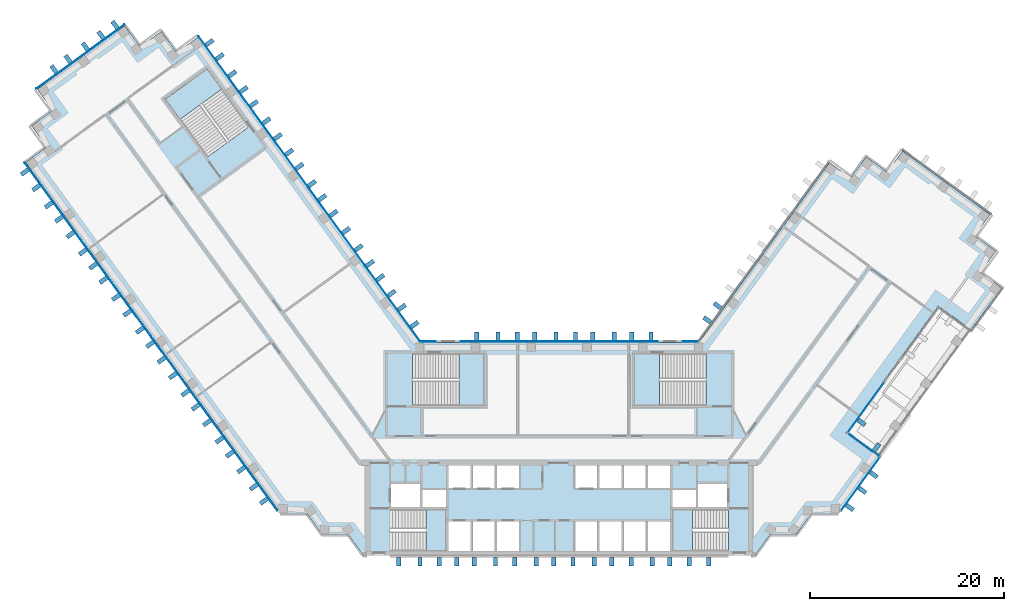
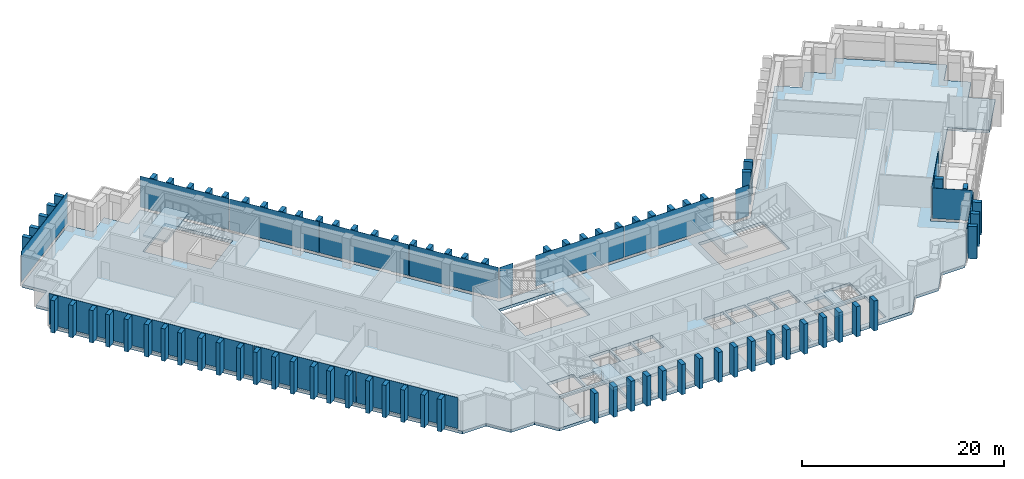
"""IFC4 building model written with IfcOpenShell, lengths in metres."""

from ifc_helpers import new_model, si_unit, direction, frame, origin, origin_2d, place, context, subcontext, project, spatial, polyline, rectangle, outline, extrude, material, layer, layer_set, type_object, element, aggregate, save


model = new_model("IFC4")

# Units and contexts
model_context = context("Model", 3, precision=1e-05, world=origin(), true_north=direction((0.0, 1.0)))
body_context = subcontext(model_context, "Body", "Model", "MODEL_VIEW")
ifc_project = project(units=[si_unit("LENGTHUNIT", "METRE"), si_unit("AREAUNIT", "SQUARE_METRE"), si_unit("VOLUMEUNIT", "CUBIC_METRE"), si_unit("PLANEANGLEUNIT", "RADIAN"), si_unit("MASSUNIT", "GRAM", prefix="KILO")], contexts=[model_context])

# Site, building, storey
site_placement = place(None, origin())
site = spatial("IfcSite", under=ifc_project, at=site_placement, CompositionType="ELEMENT")
building_placement = place(site_placement, origin())
building = spatial("IfcBuilding", under=site, at=building_placement, Name="Quipu Civic Tower", CompositionType="ELEMENT")
storey_1_placement = place(building_placement, frame((0.0, 0.0, 97.0)))
storey_1 = spatial("IfcBuildingStorey", under=building, at=storey_1_placement, Name="L22", CompositionType="ELEMENT", Elevation=97.0)

# Slab
ifc_material_1 = material(Name="Concrete C40/50", Category="concrete")
ifc_layer_1 = layer(ifc_material_1, 0.35009765625)
ifc_layer_set_1 = layer_set([ifc_layer_1], Name="Concrete C40/50")
slab_type_1 = type_object("IfcSlabType", Name="Floor slab 350 C40/50", PredefinedType="FLOOR", material=ifc_layer_set_1)
slab_1_placement = place(storey_1_placement, frame((0.0, 0.0, -0.35009765625)))
element("IfcSlab", 1, at=slab_1_placement, inside=storey_1, type_object=slab_type_1, Name="Floor slab L22", PredefinedType="FLOOR", context=body_context, shape_type="SweptSolid", body=[
    extrude(outline(polyline([(24.489990234375, -8.81494140625), (21.7900390625, -8.81494140625), (20.205078125, -11.0), (-20.205078125, -11.0), (-21.7900390625, -8.81494140625), (-24.489990234375, -8.81494140625), (-26.080078125, -6.6298828125), (-28.780029296875, -6.6298828125), (-55.114990234375, 29.614990234375), (-52.929931640625, 31.205078125), (-54.514892578125, 33.389892578125), (-52.3349609375, 34.97509765625), (-53.919921875, 37.159912109375), (-44.860107421875, 43.739990234375), (-43.27001953125, 41.56005859375), (-41.0849609375, 43.14501953125), (-39.5, 40.9599609375), (-37.31494140625, 42.550048828125), (-14.39501953125, 11.0), (14.39501953125, 11.0), (27.909912109375, 29.60498046875), (30.094970703125, 28.014892578125), (31.68505859375, 30.199951171875), (33.864990234375, 28.614990234375), (35.455078125, 30.800048828125), (44.514892578125, 24.215087890625), (42.929931640625, 22.030029296875), (45.114990234375, 20.445068359375), (43.52490234375, 18.260009765625), (45.7099609375, 16.669921875), (42.534912109375, 12.304931640625), (39.139892578125, 14.77001953125), (29.614990234375, 1.6650390625), (33.014892578125, -0.804931640625), (28.780029296875, -6.6298828125), (26.080078125, -6.6298828125), (24.489990234375, -8.81494140625)]), holes=[polyline([(-11.449951171875, -7.5), (-11.449951171875, -10.5), (-9.14990234375, -10.5), (-9.14990234375, -7.5), (-11.449951171875, -7.5)]), polyline([(-8.949951171875, -7.5), (-8.949951171875, -10.5), (-6.64990234375, -10.5), (-6.64990234375, -7.5), (-8.949951171875, -7.5)]), polyline([(-6.449951171875, -7.5), (-6.449951171875, -10.5), (-4.14990234375, -10.5), (-4.14990234375, -7.5), (-6.449951171875, -7.5)]), polyline([(-11.705078125, -10.4951171875), (-11.705078125, -6.2548828125), (-17.4951171875, -6.2548828125), (-17.4951171875, -10.4951171875), (-11.705078125, -10.4951171875)]), polyline([(-11.699951171875, -4.25), (-14.10009765625, -4.25), (-14.10009765625, -6.0), (-11.699951171875, -6.0), (-11.699951171875, -4.25)]), polyline([(-17.35009765625, -3.60009765625), (-17.35009765625, -6.0), (-14.35009765625, -6.0), (-14.35009765625, -3.60009765625), (-17.35009765625, -3.60009765625)]), polyline([(-9.14990234375, -1.699951171875), (-11.449951171875, -1.699951171875), (-11.449951171875, -4.0), (-9.14990234375, -4.0), (-9.14990234375, -1.699951171875)]), polyline([(-6.64990234375, -1.699951171875), (-8.949951171875, -1.699951171875), (-8.949951171875, -4.0), (-6.64990234375, -4.0), (-6.64990234375, -1.699951171875)]), polyline([(-6.449951171875, -1.699951171875), (-6.449951171875, -4.0), (-4.14990234375, -4.0), (-4.14990234375, -1.699951171875), (-6.449951171875, -1.699951171875)]), polyline([(3.949951171875, -1.699951171875), (1.64990234375, -1.699951171875), (1.64990234375, -4.0), (3.949951171875, -4.0), (3.949951171875, -1.699951171875)]), polyline([(-7.7548828125, 4.5048828125), (-7.7548828125, 9.844970703125), (-15.14501953125, 9.844970703125), (-15.14501953125, 4.5048828125), (-7.7548828125, 4.5048828125)]), polyline([(-40.68505859375, 36.135009765625), (-36.344970703125, 30.159912109375), (-32.02490234375, 33.300048828125), (-36.364990234375, 39.27490234375), (-40.68505859375, 36.135009765625)]), polyline([(3.949951171875, -7.5), (1.64990234375, -7.5), (1.64990234375, -10.5), (3.949951171875, -10.5), (3.949951171875, -7.5)]), polyline([(6.449951171875, -7.5), (4.14990234375, -7.5), (4.14990234375, -10.5), (6.449951171875, -10.5), (6.449951171875, -7.5)]), polyline([(6.64990234375, -7.5), (6.64990234375, -10.5), (8.949951171875, -10.5), (8.949951171875, -7.5), (6.64990234375, -7.5)]), polyline([(11.449951171875, -7.5), (9.14990234375, -7.5), (9.14990234375, -10.5), (11.449951171875, -10.5), (11.449951171875, -7.5)]), polyline([(11.705078125, -6.2548828125), (11.705078125, -10.4951171875), (17.4951171875, -10.4951171875), (17.4951171875, -6.2548828125), (11.705078125, -6.2548828125)]), polyline([(11.699951171875, -4.25), (11.699951171875, -6.0), (14.10009765625, -6.0), (14.10009765625, -4.25), (11.699951171875, -4.25)]), polyline([(17.35009765625, -3.60009765625), (14.35009765625, -3.60009765625), (14.35009765625, -6.0), (17.35009765625, -6.0), (17.35009765625, -3.60009765625)]), polyline([(6.449951171875, -1.699951171875), (4.14990234375, -1.699951171875), (4.14990234375, -4.0), (6.449951171875, -4.0), (6.449951171875, -1.699951171875)]), polyline([(6.64990234375, -1.699951171875), (6.64990234375, -4.0), (8.949951171875, -4.0), (8.949951171875, -1.699951171875), (6.64990234375, -1.699951171875)]), polyline([(11.449951171875, -1.699951171875), (9.14990234375, -1.699951171875), (9.14990234375, -4.0), (11.449951171875, -4.0), (11.449951171875, -1.699951171875)]), polyline([(7.7548828125, 9.844970703125), (7.7548828125, 4.5048828125), (15.14501953125, 4.5048828125), (15.14501953125, 9.844970703125), (7.7548828125, 9.844970703125)])]), origin(), (0.0, 0.0, 1.0), 0.35009765625),
])

# Curtain wall, plate
ifc_material_2 = material(Name="Insulated glass unit", Category="glass")
curtain_wall_type = type_object("IfcCurtainWallType", Name="Office curtain wall CW1", PredefinedType="NOTDEFINED", material=ifc_material_2)
curtain_wall_1_placement = place(storey_1_placement, origin())
curtain_wall_1 = element("IfcCurtainWall", 2, at=curtain_wall_1_placement, inside=storey_1, type_object=curtain_wall_type, Name="Office curtain wall CW1 L22 run 1", PredefinedType="NOTDEFINED")
ifc_material_3 = material(Name="Insulated glass unit", Category="glass")
ifc_layer_2 = layer(ifc_material_3, 0.028076171875)
ifc_layer_set_2 = layer_set([ifc_layer_2], Name="Insulated glass unit")
plate_type_1 = type_object("IfcPlateType", Name="Glass panel CW1", PredefinedType="CURTAIN_PANEL", material=ifc_layer_set_2)
plate_1_placement = place(storey_1_placement, frame((31.104736328125, -3.600341796875, 0.240234375), z_axis=(0.0, 0.0, 1.0), x_axis=(0.587786952143, 0.809015759359, 0.0)))
plate_1 = element("IfcPlate", 3, at=plate_1_placement, type_object=plate_type_1, Name="CW1 panel 1.1", PredefinedType="CURTAIN_PANEL", context=body_context, shape_type="SweptSolid", body=[
    extrude(rectangle(XDim=6.81103515625, YDim=0.028076171875, at=origin_2d()), origin(), (0.0, 0.0, 1.0), 3.679931640625),
])
aggregate(curtain_wall_1, [plate_1])

curtain_wall_2_placement = place(storey_1_placement, origin())
curtain_wall_2 = element("IfcCurtainWall", 4, at=curtain_wall_2_placement, inside=storey_1, type_object=curtain_wall_type, Name="Office curtain wall CW1 L22 run 2", PredefinedType="NOTDEFINED")
plate_2_placement = place(storey_1_placement, frame((31.454345703125, 0.453857421875, 0.240234375), z_axis=(0.0, 0.0, 1.0), x_axis=(-0.809019129244, 0.587782313886, 0.0)))
plate_2 = element("IfcPlate", 5, at=plate_2_placement, type_object=plate_type_1, Name="CW1 panel 1.1", PredefinedType="CURTAIN_PANEL", context=body_context, shape_type="SweptSolid", body=[
    extrude(rectangle(XDim=4.0400390625, YDim=0.028076171875, at=origin_2d()), origin(), (0.0, 0.0, 1.0), 3.679931640625),
])
aggregate(curtain_wall_2, [plate_2])

curtain_wall_3_placement = place(storey_1_placement, origin())
curtain_wall_3 = element("IfcCurtainWall", 6, at=curtain_wall_3_placement, inside=storey_1, type_object=curtain_wall_type, Name="Office curtain wall CW1 L22 run 3", PredefinedType="NOTDEFINED")
plate_3_placement = place(storey_1_placement, frame((31.671142578125, 4.324951171875, 0.240234375), z_axis=(0.0, 0.0, 1.0), x_axis=(0.587783041125, 0.809018600878, 0.0)))
plate_3 = element("IfcPlate", 7, at=plate_3_placement, type_object=plate_type_1, Name="CW1 panel 1.1", PredefinedType="CURTAIN_PANEL", context=body_context, shape_type="SweptSolid", body=[
    extrude(rectangle(XDim=6.3583984375, YDim=0.028076171875, at=origin_2d()), origin(), (0.0, 0.0, 1.0), 3.679931640625),
])
aggregate(curtain_wall_3, [plate_3])

# Storey
storey_2_placement = place(building_placement, frame((0.0, 0.0, 101.0)))
storey_2 = spatial("IfcBuildingStorey", under=building, at=storey_2_placement, Name="L23", CompositionType="ELEMENT", Elevation=101.0)

# Curtain wall, plates
curtain_wall_4_placement = place(storey_2_placement, origin())
curtain_wall_4 = element("IfcCurtainWall", 8, at=curtain_wall_4_placement, inside=storey_2, type_object=curtain_wall_type, Name="Office curtain wall CW1 L22 run 10", PredefinedType="NOTDEFINED")
plate_4_placement = place(storey_1_placement, frame((-17.224609375, 15.064697265625, 0.240234375), z_axis=(0.0, 0.0, 1.0), x_axis=(-0.587785887566, 0.809016532822, 0.0)))
plate_4 = element("IfcPlate", 9, at=plate_4_placement, inside=storey_1, type_object=plate_type_1, Name="CW1 panel 1.1", PredefinedType="CURTAIN_PANEL", context=body_context, shape_type="SweptSolid", body=[
    extrude(rectangle(XDim=9.64111328125, YDim=0.028076171875, at=origin_2d()), origin(), (0.0, 0.0, 1.0), 3.760009765625),
])
plate_5_placement = place(storey_1_placement, frame((-22.950439453125, 22.9453125, 0.240234375), z_axis=(0.0, 0.0, 1.0), x_axis=(-0.587785887566, 0.809016532822, 0.0)))
plate_5 = element("IfcPlate", 10, at=plate_5_placement, inside=storey_1, type_object=plate_type_1, Name="CW1 panel 2.1", PredefinedType="CURTAIN_PANEL", context=body_context, shape_type="SweptSolid", body=[
    extrude(rectangle(XDim=9.68115234375, YDim=0.028076171875, at=origin_2d()), origin(), (0.0, 0.0, 1.0), 3.760009765625),
])
plate_6_placement = place(storey_1_placement, frame((-28.687744140625, 30.84228515625, 0.240234375), z_axis=(0.0, 0.0, 1.0), x_axis=(-0.587785887566, 0.809016532822, 0.0)))
plate_6 = element("IfcPlate", 11, at=plate_6_placement, inside=storey_1, type_object=plate_type_1, Name="CW1 panel 3.1", PredefinedType="CURTAIN_PANEL", context=body_context, shape_type="SweptSolid", body=[
    extrude(rectangle(XDim=9.68115234375, YDim=0.028076171875, at=origin_2d()), origin(), (0.0, 0.0, 1.0), 3.760009765625),
])
plate_7_placement = place(storey_1_placement, frame((-34.413330078125, 38.722900390625, 0.240234375), z_axis=(0.0, 0.0, 1.0), x_axis=(-0.587785887566, 0.809016532822, 0.0)))
plate_7 = element("IfcPlate", 12, at=plate_7_placement, inside=storey_1, type_object=plate_type_1, Name="CW1 panel 4.1", PredefinedType="CURTAIN_PANEL", context=body_context, shape_type="SweptSolid", body=[
    extrude(rectangle(XDim=9.64111328125, YDim=0.028076171875, at=origin_2d()), origin(), (0.0, 0.0, 1.0), 3.760009765625),
])
aggregate(curtain_wall_4, [plate_4, plate_5, plate_6, plate_7])

# Curtain wall, plate
curtain_wall_5_placement = place(storey_2_placement, origin())
curtain_wall_5 = element("IfcCurtainWall", 13, at=curtain_wall_5_placement, inside=storey_2, type_object=curtain_wall_type, Name="Office curtain wall CW1 L22 run 15", PredefinedType="NOTDEFINED")
plate_8_placement = place(storey_1_placement, frame((-49.447998046875, 40.53173828125, 0.240234375), z_axis=(0.0, 0.0, 1.0), x_axis=(-0.809019348124, -0.587782012621, 0.0)))
plate_8 = element("IfcPlate", 14, at=plate_8_placement, inside=storey_1, type_object=plate_type_1, Name="CW1 panel 1.1", PredefinedType="CURTAIN_PANEL", context=body_context, shape_type="SweptSolid", body=[
    extrude(rectangle(XDim=11.239990234375, YDim=0.028076171875, at=origin_2d()), origin(), (0.0, 0.0, 1.0), 3.760009765625),
])
aggregate(curtain_wall_5, [plate_8])

# Curtain wall, plates
curtain_wall_6_placement = place(storey_2_placement, origin())
curtain_wall_6 = element("IfcCurtainWall", 15, at=curtain_wall_6_placement, inside=storey_2, type_object=curtain_wall_type, Name="Office curtain wall CW1 L22 run 20", PredefinedType="NOTDEFINED")
plate_9_placement = place(storey_1_placement, frame((-51.967529296875, 25.114990234375, 0.240234375), z_axis=(0.0, 0.0, 1.0), x_axis=(0.587785559869, -0.809016770908, 0.0)))
plate_9 = element("IfcPlate", 16, at=plate_9_placement, inside=storey_1, type_object=plate_type_1, Name="CW1 panel 1.1", PredefinedType="CURTAIN_PANEL", context=body_context, shape_type="SweptSolid", body=[
    extrude(rectangle(XDim=11.022705078125, YDim=0.028076171875, at=origin_2d()), origin(), (0.0, 0.0, 1.0), 3.760009765625),
])
plate_10_placement = place(storey_1_placement, frame((-45.4296875, 16.11669921875, 0.240234375), z_axis=(0.0, 0.0, 1.0), x_axis=(0.587785559869, -0.809016770908, 0.0)))
plate_10 = element("IfcPlate", 17, at=plate_10_placement, inside=storey_1, type_object=plate_type_1, Name="CW1 panel 2.1", PredefinedType="CURTAIN_PANEL", context=body_context, shape_type="SweptSolid", body=[
    extrude(rectangle(XDim=11.062744140625, YDim=0.028076171875, at=origin_2d()), origin(), (0.0, 0.0, 1.0), 3.760009765625),
])
plate_11_placement = place(storey_1_placement, frame((-38.880126953125, 7.101806640625, 0.240234375), z_axis=(0.0, 0.0, 1.0), x_axis=(0.587785559869, -0.809016770908, 0.0)))
plate_11 = element("IfcPlate", 18, at=plate_11_placement, inside=storey_1, type_object=plate_type_1, Name="CW1 panel 3.1", PredefinedType="CURTAIN_PANEL", context=body_context, shape_type="SweptSolid", body=[
    extrude(rectangle(XDim=11.062744140625, YDim=0.028076171875, at=origin_2d()), origin(), (0.0, 0.0, 1.0), 3.760009765625),
])
plate_12_placement = place(storey_1_placement, frame((-32.342529296875, -1.896484375, 0.240234375), z_axis=(0.0, 0.0, 1.0), x_axis=(0.587785559869, -0.809016770908, 0.0)))
plate_12 = element("IfcPlate", 19, at=plate_12_placement, inside=storey_1, type_object=plate_type_1, Name="CW1 panel 4.1", PredefinedType="CURTAIN_PANEL", context=body_context, shape_type="SweptSolid", body=[
    extrude(rectangle(XDim=11.022705078125, YDim=0.028076171875, at=origin_2d()), origin(), (0.0, 0.0, 1.0), 3.760009765625),
])
aggregate(curtain_wall_6, [plate_9, plate_10, plate_11, plate_12])

# Curtain wall, plate
curtain_wall_7_placement = place(storey_2_placement, origin())
curtain_wall_7 = element("IfcCurtainWall", 20, at=curtain_wall_7_placement, inside=storey_2, type_object=curtain_wall_type, Name="Office curtain wall CW1 L22 run 37", PredefinedType="NOTDEFINED")
plate_13_placement = place(storey_1_placement, frame((13.49951171875, 11.10009765625, 0.240234375), z_axis=(0.0, 0.0, 1.0), x_axis=(-1.0, 0.0, 0.0)))
plate_13 = element("IfcPlate", 21, at=plate_13_placement, inside=storey_1, type_object=plate_type_1, Name="CW1 panel 1.1", PredefinedType="CURTAIN_PANEL", context=body_context, shape_type="SweptSolid", body=[
    extrude(rectangle(XDim=1.529296875, YDim=0.028076171875, at=origin_2d()), origin(), (0.0, 0.0, 1.0), 3.760009765625),
])
aggregate(curtain_wall_7, [plate_13])

# Curtain wall, plates
curtain_wall_8_placement = place(storey_2_placement, origin())
curtain_wall_8 = element("IfcCurtainWall", 22, at=curtain_wall_8_placement, inside=storey_2, type_object=curtain_wall_type, Name="Office curtain wall CW1 L22 run 39", PredefinedType="NOTDEFINED")
plate_14_placement = place(storey_1_placement, frame((5.11181640625, 11.10009765625, 0.240234375), z_axis=(0.0, 0.0, 1.0), x_axis=(-1.0, 0.0, 0.0)))
plate_14 = element("IfcPlate", 23, at=plate_14_placement, inside=storey_1, type_object=plate_type_1, Name="CW1 panel 1.1", PredefinedType="CURTAIN_PANEL", context=body_context, shape_type="SweptSolid", body=[
    extrude(rectangle(XDim=10.1435546875, YDim=0.028076171875, at=origin_2d()), origin(), (0.0, 0.0, 1.0), 3.760009765625),
])
plate_15_placement = place(storey_1_placement, frame((-5.11181640625, 11.10009765625, 0.240234375), z_axis=(0.0, 0.0, 1.0), x_axis=(-1.0, 0.0, 0.0)))
plate_15 = element("IfcPlate", 24, at=plate_15_placement, inside=storey_1, type_object=plate_type_1, Name="CW1 panel 2.1", PredefinedType="CURTAIN_PANEL", context=body_context, shape_type="SweptSolid", body=[
    extrude(rectangle(XDim=10.1435546875, YDim=0.028076171875, at=origin_2d()), origin(), (0.0, 0.0, 1.0), 3.760009765625),
])
aggregate(curtain_wall_8, [plate_14, plate_15])

# Curtain wall, plate
curtain_wall_9_placement = place(storey_2_placement, origin())
curtain_wall_9 = element("IfcCurtainWall", 25, at=curtain_wall_9_placement, inside=storey_2, type_object=curtain_wall_type, Name="Office curtain wall CW1 L22 run 41", PredefinedType="NOTDEFINED")
plate_16_placement = place(storey_1_placement, frame((-13.49951171875, 11.10009765625, 0.240234375), z_axis=(0.0, 0.0, 1.0), x_axis=(-1.0, 0.0, 0.0)))
plate_16 = element("IfcPlate", 26, at=plate_16_placement, inside=storey_1, type_object=plate_type_1, Name="CW1 panel 1.1", PredefinedType="CURTAIN_PANEL", context=body_context, shape_type="SweptSolid", body=[
    extrude(rectangle(XDim=1.529296875, YDim=0.028076171875, at=origin_2d()), origin(), (0.0, 0.0, 1.0), 3.760009765625),
])
aggregate(curtain_wall_9, [plate_16])

# Plates
ifc_material_4 = material(Name="Precast concrete C40/50", Category="concrete")
plate_type_2 = type_object("IfcPlateType", Name="Precast fin F1", PredefinedType="SHEET", material=ifc_material_4)
for number, where, z_axis, x_axis, name in (
    (27, (30.010986328125, -6.041015625, 0.080078125), (0.0, 0.0, 1.0), (0.587787878823, 0.809015086082, 0.0), "Precast fin F1 L22.1.1"),
    (28, (31.30419921875, -4.26123046875, 0.080078125), (0.0, 0.0, 1.0), (0.587787878823, 0.809015086082, 0.0), "Precast fin F1 L22.1.2"),
    (29, (32.479736328125, -2.643310546875, 0.080078125), (0.0, 0.0, 1.0), (0.587787878823, 0.809015086082, 0.0), "Precast fin F1 L22.1.3"),
    (30, (32.768798828125, 0.178955078125, 0.080078125), (0.0, 0.0, 1.0), (-0.809019129244, 0.587782313886, 0.0), "Precast fin F1 L22.2.1"),
    (31, (31.21435546875, 2.760498046875, 0.080078125), (0.0, 0.0, 1.0), (0.587783675566, 0.809018139931, 0.0), "Precast fin F1 L22.3.1"),
    (32, (-14.942138671875, 12.8583984375, 0.080078125), (0.0, 0.0, 1.0), (-0.587784944053, 0.809017218324, 0.0), "Precast fin F1 L22.10.1"),
    (33, (-16.235107421875, 14.638427734375, 0.080078125), (0.0, 0.0, 1.0), (-0.587784944053, 0.809017218324, 0.0), "Precast fin F1 L22.10.2"),
    (34, (-17.293212890625, 16.094482421875, 0.080078125), (0.0, 0.0, 1.0), (-0.587784944053, 0.809017218324, 0.0), "Precast fin F1 L22.10.3"),
    (35, (-18.46875, 17.712646484375, 0.080078125), (0.0, 0.0, 1.0), (-0.587784944053, 0.809017218324, 0.0), "Precast fin F1 L22.10.4"),
    (36, (-19.52685546875, 19.1689453125, 0.080078125), (0.0, 0.0, 1.0), (-0.587784944053, 0.809017218324, 0.0), "Precast fin F1 L22.10.5"),
    (37, (-20.702392578125, 20.786865234375, 0.080078125), (0.0, 0.0, 1.0), (-0.587784944053, 0.809017218324, 0.0), "Precast fin F1 L22.10.6"),
    (38, (-21.995361328125, 22.566650390625, 0.080078125), (0.0, 0.0, 1.0), (-0.587784944053, 0.809017218324, 0.0), "Precast fin F1 L22.10.7"),
    (39, (-23.28857421875, 24.3466796875, 0.080078125), (0.0, 0.0, 1.0), (-0.587784944053, 0.809017218324, 0.0), "Precast fin F1 L22.10.8"),
    (40, (-24.464111328125, 25.964599609375, 0.080078125), (0.0, 0.0, 1.0), (-0.587784944053, 0.809017218324, 0.0), "Precast fin F1 L22.10.9"),
    (41, (-25.522216796875, 27.4208984375, 0.080078125), (0.0, 0.0, 1.0), (-0.587784944053, 0.809017218324, 0.0), "Precast fin F1 L22.10.10"),
    (42, (-26.815185546875, 29.20068359375, 0.080078125), (0.0, 0.0, 1.0), (-0.587784944053, 0.809017218324, 0.0), "Precast fin F1 L22.10.11"),
    (43, (-27.873291015625, 30.656982421875, 0.080078125), (0.0, 0.0, 1.0), (-0.587784944053, 0.809017218324, 0.0), "Precast fin F1 L22.10.12"),
    (44, (-29.048828125, 32.27490234375, 0.080078125), (0.0, 0.0, 1.0), (-0.587784944053, 0.809017218324, 0.0), "Precast fin F1 L22.10.13"),
    (45, (-30.224365234375, 33.89306640625, 0.080078125), (0.0, 0.0, 1.0), (-0.587784944053, 0.809017218324, 0.0), "Precast fin F1 L22.10.14"),
    (46, (-31.517578125, 35.6728515625, 0.080078125), (0.0, 0.0, 1.0), (-0.587784944053, 0.809017218324, 0.0), "Precast fin F1 L22.10.15"),
    (47, (-32.57568359375, 37.129150390625, 0.080078125), (0.0, 0.0, 1.0), (-0.587784944053, 0.809017218324, 0.0), "Precast fin F1 L22.10.16"),
    (48, (-33.751220703125, 38.7470703125, 0.080078125), (0.0, 0.0, 1.0), (-0.587784944053, 0.809017218324, 0.0), "Precast fin F1 L22.10.17"),
    (49, (-35.044189453125, 40.52685546875, 0.080078125), (0.0, 0.0, 1.0), (-0.587784944053, 0.809017218324, 0.0), "Precast fin F1 L22.10.18"),
    (50, (-36.102294921875, 41.983154296875, 0.080078125), (0.0, 0.0, 1.0), (-0.587784944053, 0.809017218324, 0.0), "Precast fin F1 L22.10.19"),
    (51, (-45.867919921875, 43.812744140625, 0.080078125), (0.0, 0.0, 1.0), (-0.809021318545, -0.587779300537, 0.0), "Precast fin F1 L22.15.1"),
    (52, (-47.323974609375, 42.754638671875, 0.080078125), (0.0, 0.0, 1.0), (-0.809021318545, -0.587779300537, 0.0), "Precast fin F1 L22.15.2"),
    (53, (-48.942138671875, 41.5791015625, 0.080078125), (0.0, 0.0, 1.0), (-0.809021318545, -0.587779300537, 0.0), "Precast fin F1 L22.15.3"),
    (54, (-50.721923828125, 40.2861328125, 0.080078125), (0.0, 0.0, 1.0), (-0.809021318545, -0.587779300537, 0.0), "Precast fin F1 L22.15.4"),
    (55, (-52.17822265625, 39.22802734375, 0.080078125), (0.0, 0.0, 1.0), (-0.809021318545, -0.587779300537, 0.0), "Precast fin F1 L22.15.5"),
    (56, (-55.184814453125, 28.607421875, 0.080078125), (0.0, 0.0, 1.0), (0.587785716149, -0.809016657363, 0.0), "Precast fin F1 L22.20.1"),
    (57, (-54.00927734375, 26.989501953125, 0.080078125), (0.0, 0.0, 1.0), (0.587785716149, -0.809016657363, 0.0), "Precast fin F1 L22.20.2"),
    (58, (-52.716064453125, 25.20947265625, 0.080078125), (0.0, 0.0, 1.0), (0.587785716149, -0.809016657363, 0.0), "Precast fin F1 L22.20.3"),
    (59, (-51.657958984375, 23.75341796875, 0.080078125), (0.0, 0.0, 1.0), (0.587785716149, -0.809016657363, 0.0), "Precast fin F1 L22.20.4"),
    (60, (-50.482421875, 22.13525390625, 0.080078125), (0.0, 0.0, 1.0), (0.587785716149, -0.809016657363, 0.0), "Precast fin F1 L22.20.5"),
    (61, (-49.189208984375, 20.35546875, 0.080078125), (0.0, 0.0, 1.0), (0.587785716149, -0.809016657363, 0.0), "Precast fin F1 L22.20.6"),
    (62, (-48.13134765625, 18.899169921875, 0.080078125), (0.0, 0.0, 1.0), (0.587785716149, -0.809016657363, 0.0), "Precast fin F1 L22.20.7"),
    (63, (-47.0732421875, 17.443115234375, 0.080078125), (0.0, 0.0, 1.0), (0.587785716149, -0.809016657363, 0.0), "Precast fin F1 L22.20.8"),
    (64, (-45.7802734375, 15.6630859375, 0.080078125), (0.0, 0.0, 1.0), (0.587785716149, -0.809016657363, 0.0), "Precast fin F1 L22.20.9"),
    (65, (-44.6044921875, 14.045166015625, 0.080078125), (0.0, 0.0, 1.0), (0.587785716149, -0.809016657363, 0.0), "Precast fin F1 L22.20.10"),
    (66, (-43.3115234375, 12.265380859375, 0.080078125), (0.0, 0.0, 1.0), (0.587785716149, -0.809016657363, 0.0), "Precast fin F1 L22.20.11"),
    (67, (-42.25341796875, 10.80908203125, 0.080078125), (0.0, 0.0, 1.0), (0.587785716149, -0.809016657363, 0.0), "Precast fin F1 L22.20.12"),
    (68, (-41.077880859375, 9.191162109375, 0.080078125), (0.0, 0.0, 1.0), (0.587785716149, -0.809016657363, 0.0), "Precast fin F1 L22.20.13"),
    (69, (-39.90234375, 7.572998046875, 0.080078125), (0.0, 0.0, 1.0), (0.587785716149, -0.809016657363, 0.0), "Precast fin F1 L22.20.14"),
    (70, (-38.609130859375, 5.793212890625, 0.080078125), (0.0, 0.0, 1.0), (0.587785716149, -0.809016657363, 0.0), "Precast fin F1 L22.20.15"),
    (71, (-37.55126953125, 4.3369140625, 0.080078125), (0.0, 0.0, 1.0), (0.587785716149, -0.809016657363, 0.0), "Precast fin F1 L22.20.16"),
    (72, (-36.37548828125, 2.718994140625, 0.080078125), (0.0, 0.0, 1.0), (0.587785716149, -0.809016657363, 0.0), "Precast fin F1 L22.20.17"),
    (73, (-35.08251953125, 0.93896484375, 0.080078125), (0.0, 0.0, 1.0), (0.587785716149, -0.809016657363, 0.0), "Precast fin F1 L22.20.18"),
    (74, (-34.0244140625, -0.51708984375, 0.080078125), (0.0, 0.0, 1.0), (0.587785716149, -0.809016657363, 0.0), "Precast fin F1 L22.20.19"),
    (75, (-32.848876953125, -2.13525390625, 0.080078125), (0.0, 0.0, 1.0), (0.587785716149, -0.809016657363, 0.0), "Precast fin F1 L22.20.20"),
    (76, (-31.5556640625, -3.9150390625, 0.080078125), (0.0, 0.0, 1.0), (0.587785716149, -0.809016657363, 0.0), "Precast fin F1 L22.20.21"),
    (77, (-30.497802734375, -5.371337890625, 0.080078125), (0.0, 0.0, 1.0), (0.587785716149, -0.809016657363, 0.0), "Precast fin F1 L22.20.22"),
):
    element("IfcPlate", number, at=place(storey_1_placement, frame(where, z_axis=z_axis, x_axis=x_axis)), inside=storey_1, type_object=plate_type_2, Name=name, PredefinedType="SHEET", context=body_context, shape_type="SweptSolid", body=[
        extrude(rectangle(XDim=0.449951171875, YDim=0.89990234375, at=origin_2d()), origin(), (0.0, 0.0, 1.0), 3.919921875),
    ])
for number, where, z_axis, x_axis, name in (
    (78, (-16.574951171875, -11.637939453125, 0.0), (0.0, 0.0, 1.0), (1.0, 0.0, 0.0), "Precast fin F1 L22.26.1"),
    (79, (-14.375, -11.637939453125, 0.0), (0.0, 0.0, 1.0), (1.0, 0.0, 0.0), "Precast fin F1 L22.26.2"),
    (80, (-12.375, -11.637939453125, 0.0), (0.0, 0.0, 1.0), (1.0, 0.0, 0.0), "Precast fin F1 L22.26.3"),
    (81, (-10.574951171875, -11.637939453125, 0.0), (0.0, 0.0, 1.0), (1.0, 0.0, 0.0), "Precast fin F1 L22.26.4"),
    (82, (-8.77490234375, -11.637939453125, 0.0), (0.0, 0.0, 1.0), (1.0, 0.0, 0.0), "Precast fin F1 L22.26.5"),
    (83, (-6.574951171875, -11.637939453125, 0.0), (0.0, 0.0, 1.0), (1.0, 0.0, 0.0), "Precast fin F1 L22.26.6"),
    (84, (-4.574951171875, -11.637939453125, 0.0), (0.0, 0.0, 1.0), (1.0, 0.0, 0.0), "Precast fin F1 L22.26.7"),
    (85, (-2.375, -11.637939453125, 0.0), (0.0, 0.0, 1.0), (1.0, 0.0, 0.0), "Precast fin F1 L22.26.8"),
    (86, (-0.574951171875, -11.637939453125, 0.0), (0.0, 0.0, 1.0), (1.0, 0.0, 0.0), "Precast fin F1 L22.26.9"),
    (87, (1.425048828125, -11.637939453125, 0.0), (0.0, 0.0, 1.0), (1.0, 0.0, 0.0), "Precast fin F1 L22.26.10"),
    (88, (3.625, -11.637939453125, 0.0), (0.0, 0.0, 1.0), (1.0, 0.0, 0.0), "Precast fin F1 L22.26.11"),
    (89, (5.425048828125, -11.637939453125, 0.0), (0.0, 0.0, 1.0), (1.0, 0.0, 0.0), "Precast fin F1 L22.26.12"),
    (90, (7.425048828125, -11.637939453125, 0.0), (0.0, 0.0, 1.0), (1.0, 0.0, 0.0), "Precast fin F1 L22.26.13"),
    (91, (9.625, -11.637939453125, 0.0), (0.0, 0.0, 1.0), (1.0, 0.0, 0.0), "Precast fin F1 L22.26.14"),
    (92, (11.425048828125, -11.637939453125, 0.0), (0.0, 0.0, 1.0), (1.0, 0.0, 0.0), "Precast fin F1 L22.26.15"),
    (93, (13.425048828125, -11.637939453125, 0.0), (0.0, 0.0, 1.0), (1.0, 0.0, 0.0), "Precast fin F1 L22.26.16"),
    (94, (15.425048828125, -11.637939453125, 0.0), (0.0, 0.0, 1.0), (1.0, 0.0, 0.0), "Precast fin F1 L22.26.17"),
):
    element("IfcPlate", number, at=place(storey_1_placement, frame(where, z_axis=z_axis, x_axis=x_axis)), inside=storey_1, type_object=plate_type_2, Name=name, PredefinedType="SHEET", context=body_context, shape_type="SweptSolid", body=[
        extrude(rectangle(XDim=0.449951171875, YDim=0.89990234375, at=origin_2d()), origin(), (0.0, 0.0, 1.0), 3.64990234375),
    ])
for number, where, z_axis, x_axis, name in (
    (95, (16.349853515625, 14.79638671875, 0.080078125), (0.0, 0.0, 1.0), (-0.587787133119, -0.809015627871, 0.0), "Precast fin F1 L22.36.10"),
    (96, (15.2919921875, 13.340087890625, 0.080078125), (0.0, 0.0, 1.0), (-0.587787133119, -0.809015627871, 0.0), "Precast fin F1 L22.36.11"),
    (97, (9.47509765625, 11.64990234375, 0.080078125), (0.0, 0.0, 1.0), (-1.0, 0.0, 0.0), "Precast fin F1 L22.39.1"),
    (98, (7.47509765625, 11.64990234375, 0.080078125), (0.0, 0.0, 1.0), (-1.0, 0.0, 0.0), "Precast fin F1 L22.39.2"),
    (99, (5.675048828125, 11.64990234375, 0.080078125), (0.0, 0.0, 1.0), (-1.0, 0.0, 0.0), "Precast fin F1 L22.39.3"),
    (100, (3.47509765625, 11.64990234375, 0.080078125), (0.0, 0.0, 1.0), (-1.0, 0.0, 0.0), "Precast fin F1 L22.39.4"),
    (101, (1.675048828125, 11.64990234375, 0.080078125), (0.0, 0.0, 1.0), (-1.0, 0.0, 0.0), "Precast fin F1 L22.39.5"),
    (102, (-0.324951171875, 11.64990234375, 0.080078125), (0.0, 0.0, 1.0), (-1.0, 0.0, 0.0), "Precast fin F1 L22.39.6"),
    (103, (-2.52490234375, 11.64990234375, 0.080078125), (0.0, 0.0, 1.0), (-1.0, 0.0, 0.0), "Precast fin F1 L22.39.7"),
    (104, (-4.324951171875, 11.64990234375, 0.080078125), (0.0, 0.0, 1.0), (-1.0, 0.0, 0.0), "Precast fin F1 L22.39.8"),
    (105, (-6.324951171875, 11.64990234375, 0.080078125), (0.0, 0.0, 1.0), (-1.0, 0.0, 0.0), "Precast fin F1 L22.39.9"),
    (106, (-8.52490234375, 11.64990234375, 0.080078125), (0.0, 0.0, 1.0), (-1.0, 0.0, 0.0), "Precast fin F1 L22.39.10"),
):
    element("IfcPlate", number, at=place(storey_1_placement, frame(where, z_axis=z_axis, x_axis=x_axis)), inside=storey_1, type_object=plate_type_2, Name=name, PredefinedType="SHEET", context=body_context, shape_type="SweptSolid", body=[
        extrude(rectangle(XDim=0.449951171875, YDim=0.89990234375, at=origin_2d()), origin(), (0.0, 0.0, 1.0), 3.919921875),
    ])

# Stair, slab
ifc_material_5 = material(Name="Concrete C40/50", Category="concrete")
stair_type_1 = type_object("IfcStairType", Name="Half turn stair 2000", PredefinedType="HALF_TURN_STAIR", material=ifc_material_5)
stair_1_placement = place(storey_1_placement, origin())
stair_1 = element("IfcStair", 107, at=stair_1_placement, inside=storey_1, type_object=stair_type_1, Name="Exit stair 1", PredefinedType="HALF_TURN_STAIR")
ifc_material_6 = material(Name="Concrete C40/50", Category="concrete")
ifc_layer_3 = layer(ifc_material_6, 0.199951171875)
ifc_layer_set_3 = layer_set([ifc_layer_3], Name="Concrete C40/50")
slab_type_2 = type_object("IfcSlabType", Name="Stair landing 200", PredefinedType="LANDING", material=ifc_layer_set_3)
slab_2_placement = place(storey_1_placement, frame((0.0, 0.0, 1.800048828125)))
slab_2 = element("IfcSlab", 108, at=slab_2_placement, type_object=slab_type_2, Name="ST-1 landing 1", PredefinedType="LANDING", context=body_context, shape_type="SweptSolid", body=[
    extrude(outline(polyline([(-13.780029296875, -10.5), (-11.699951171875, -10.5), (-11.699951171875, -6.25), (-13.780029296875, -6.25), (-13.780029296875, -10.5)])), origin(), (0.0, 0.0, 1.0), 0.199951171875),
])
aggregate(stair_1, [slab_2])

stair_2_placement = place(storey_1_placement, origin())
stair_2 = element("IfcStair", 109, at=stair_2_placement, inside=storey_1, type_object=stair_type_1, Name="Exit stair 2", PredefinedType="HALF_TURN_STAIR")
slab_3_placement = place(storey_1_placement, frame((0.0, 0.0, 1.800048828125)))
slab_3 = element("IfcSlab", 110, at=slab_3_placement, type_object=slab_type_2, Name="ST-2 landing 1", PredefinedType="LANDING", context=body_context, shape_type="SweptSolid", body=[
    extrude(outline(polyline([(13.780029296875, -6.25), (11.699951171875, -6.25), (11.699951171875, -10.5), (13.780029296875, -10.5), (13.780029296875, -6.25)])), origin(), (0.0, 0.0, 1.0), 0.199951171875),
])
aggregate(stair_2, [slab_3])

ifc_material_7 = material(Name="Concrete C40/50", Category="concrete")
stair_type_2 = type_object("IfcStairType", Name="Half turn stair 2600", PredefinedType="HALF_TURN_STAIR", material=ifc_material_7)
stair_3_placement = place(storey_1_placement, origin())
stair_3 = element("IfcStair", 111, at=stair_3_placement, inside=storey_1, type_object=stair_type_2, Name="Exit stair 3", PredefinedType="HALF_TURN_STAIR")
slab_4_placement = place(storey_1_placement, frame((0.0, 0.0, 1.800048828125)))
slab_4 = element("IfcSlab", 112, at=slab_4_placement, type_object=slab_type_2, Name="ST-3 landing 1", PredefinedType="LANDING", context=body_context, shape_type="SweptSolid", body=[
    extrude(outline(polyline([(-10.35009765625, 4.5), (-7.75, 4.5), (-7.75, 9.85009765625), (-10.35009765625, 9.85009765625), (-10.35009765625, 4.5)])), origin(), (0.0, 0.0, 1.0), 0.199951171875),
])
aggregate(stair_3, [slab_4])

stair_4_placement = place(storey_1_placement, origin())
stair_4 = element("IfcStair", 113, at=stair_4_placement, inside=storey_1, type_object=stair_type_2, Name="Exit stair 4", PredefinedType="HALF_TURN_STAIR")
slab_5_placement = place(storey_1_placement, frame((0.0, 0.0, 1.800048828125)))
slab_5 = element("IfcSlab", 114, at=slab_5_placement, type_object=slab_type_2, Name="ST-4 landing 1", PredefinedType="LANDING", context=body_context, shape_type="SweptSolid", body=[
    extrude(outline(polyline([(10.35009765625, 9.85009765625), (7.75, 9.85009765625), (7.75, 4.5), (10.35009765625, 4.5), (10.35009765625, 9.85009765625)])), origin(), (0.0, 0.0, 1.0), 0.199951171875),
])
aggregate(stair_4, [slab_5])

stair_5_placement = place(storey_1_placement, origin())
stair_5 = element("IfcStair", 115, at=stair_5_placement, inside=storey_1, type_object=stair_type_2, Name="Exit stair 6", PredefinedType="HALF_TURN_STAIR")
slab_6_placement = place(storey_1_placement, frame((0.0, 0.0, 1.800048828125)))
slab_6 = element("IfcSlab", 116, at=slab_6_placement, type_object=slab_type_2, Name="ST-6 landing 1", PredefinedType="LANDING", context=body_context, shape_type="SweptSolid", body=[
    extrude(outline(polyline([(-34.837158203125, 37.179443359375), (-36.365478515625, 39.282958984375), (-40.69384765625, 36.138427734375), (-39.16552734375, 34.034912109375), (-34.837158203125, 37.179443359375)])), origin(), (0.0, 0.0, 1.0), 0.199951171875),
])
aggregate(stair_5, [slab_6])

save(model, "model.ifc")
